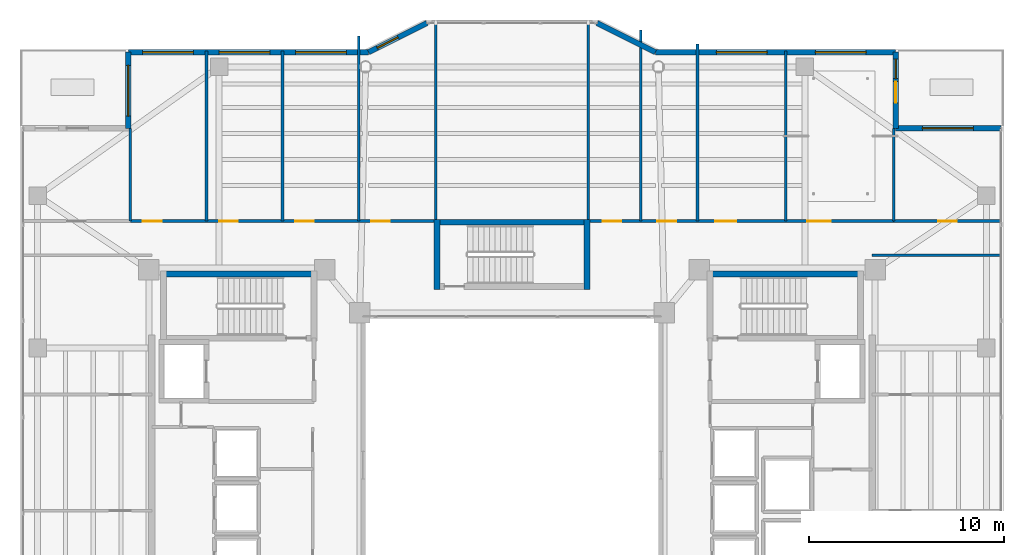
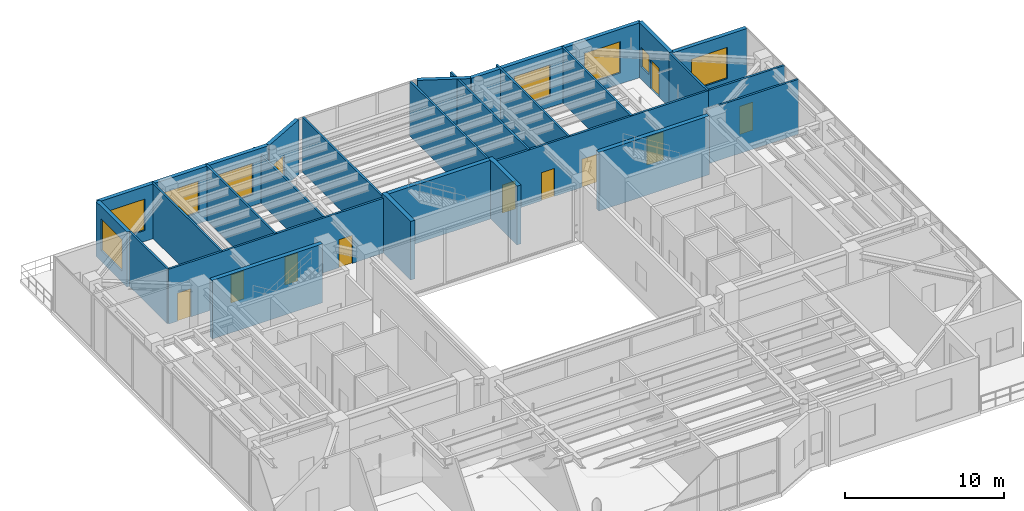
# One storey, part 26 of 33: 26 walls, 10 doors, 9 windows, 19 openings.
"""IFC4 building model written with IfcOpenShell, lengths in metres."""

from ifc_helpers import new_model, si_unit, direction, frame, frame_2d, origin, place, context, subcontext, project, spatial, rectangle, extrude, material, layer, layer_set, type_object, element, fill, save


model = new_model("IFC4")

# Units and contexts
model_context = context("Model", 3, precision=1e-05, world=origin(), true_north=direction((0.0, 1.0)))
body_context = subcontext(model_context, "Body", "Model", "MODEL_VIEW")
ifc_project = project(units=[si_unit("LENGTHUNIT", "METRE"), si_unit("AREAUNIT", "SQUARE_METRE"), si_unit("VOLUMEUNIT", "CUBIC_METRE"), si_unit("PLANEANGLEUNIT", "RADIAN"), si_unit("MASSUNIT", "GRAM", prefix="KILO")], contexts=[model_context])

# Site, building, storey
site_placement = place(None, origin())
site = spatial("IfcSite", under=ifc_project, at=site_placement, CompositionType="ELEMENT")
building_placement = place(site_placement, origin())
building = spatial("IfcBuilding", under=site, at=building_placement, Name="Tarnavaz Court Tower", CompositionType="ELEMENT")
storey_placement = place(building_placement, frame((0.0, 0.0, 177.300048828125)))
storey = spatial("IfcBuildingStorey", under=building, at=storey_placement, Name="L48", CompositionType="ELEMENT", Elevation=177.300048828125)

# Walls
ifc_material_1 = material(Name="Concrete C50/60", Category="concrete")
ifc_layer_1 = layer(ifc_material_1, 0.300048828125)
ifc_layer_set_1 = layer_set([ifc_layer_1], Name="Concrete C50/60")
wall_type_1 = type_object("IfcWallType", Name="WL-CORE-300-C50", PredefinedType="SHEAR", material=ifc_layer_set_1)
for number, where, z_axis, x_axis, name in (
    (1, (-18.0, 9.7900390625, 0.0), (0.0, 0.0, 1.0), (1.0, 0.0, 0.0), "L48 West Stair Core Wall 001"),
    (2, (10.0, 9.7900390625, 0.0), (0.0, 0.0, 1.0), (1.0, 0.0, 0.0), "L48 East Stair Core Wall 005"),
    (3, (-4.0, 12.43994140625, 0.0), (0.0, 0.0, 1.0), (1.0, 0.0, 0.0), "L48 North Stair Core Wall 009"),
):
    element("IfcWall", number, at=place(storey_placement, frame(where, z_axis=z_axis, x_axis=x_axis)), inside=storey, type_object=wall_type_1, Name=name, PredefinedType="SHEAR", context=body_context, shape_type="SweptSolid", body=[
        extrude(rectangle(XDim=8.0, YDim=0.300048828125, at=frame_2d((4.0, 0.0))), origin(), (0.0, 0.0, 1.0), 4.5),
    ])
for number, where, z_axis, x_axis, name in (
    (4, (-3.85009765625, 9.0, 0.0), (0.0, 0.0, 1.0), (0.0, 1.0, 0.0), "L48 North Stair Core Wall 011"),
    (5, (3.85009765625, 9.0, 0.0), (0.0, 0.0, 1.0), (0.0, 1.0, 0.0), "L48 North Stair Core Wall 012"),
):
    element("IfcWall", number, at=place(storey_placement, frame(where, z_axis=z_axis, x_axis=x_axis)), inside=storey, type_object=wall_type_1, Name=name, PredefinedType="SHEAR", context=body_context, shape_type="SweptSolid", body=[
        extrude(rectangle(XDim=3.590087890625, YDim=0.300048828125, at=frame_2d((1.794921875, 0.0))), origin(), (0.0, 0.0, 1.0), 4.5),
    ])

# Wall, opening, window
ifc_material_2 = material(Name="Precast Concrete C40/50", Category="concrete")
ifc_layer_2 = layer(ifc_material_2, 0.280029296875)
ifc_layer_set_2 = layer_set([ifc_layer_2], Name="Precast Concrete C40/50")
wall_type_2 = type_object("IfcWallType", Name="WL-EXT-280", PredefinedType="SOLIDWALL", material=ifc_layer_set_2)
wall_1_placement = place(storey_placement, frame((-19.64990234375, 17.25, 0.0), z_axis=(0.0, 0.0, 1.0), x_axis=(0.0, 1.0, 0.0)))
wall_1 = element("IfcWall", 6, at=wall_1_placement, inside=storey, type_object=wall_type_2, Name="L48 Exterior Terracotta Facade Wall 04", PredefinedType="SOLIDWALL", context=body_context, shape_type="SweptSolid", body=[
    extrude(rectangle(XDim=3.89990234375, YDim=0.280029296875, at=frame_2d((1.949951171875, 0.0))), origin(), (0.0, 0.0, 1.0), 4.199951171875),
])
opening_1_placement = place(wall_1_placement, frame((0.632080078125, 0.0, 0.85009765625)))
opening_1 = element("IfcOpeningElement", 7, at=opening_1_placement, cuts=wall_1, Name="Opening W11", PredefinedType="OPENING", context=body_context, shape_type="SweptSolid", body=[
    extrude(rectangle(XDim=2.60009765625, YDim=2.39990234375, at=frame_2d((1.300048828125, 1.199951171875))), frame((0.0, 0.14990234375, 0.0), z_axis=(0.0, -1.0, 0.0), x_axis=(1.0, 0.0, 0.0)), (0.0, 0.0, 1.0), 0.300048828125),
])
ifc_material_3 = material(Name="Double-Glazed Solar Low-E Glass", Category="glass")
window_type_1 = type_object("IfcWindowType", Name="WN-COM-2600", PartitioningType="TRIPLE_PANEL_VERTICAL", PredefinedType="WINDOW", material=ifc_material_3)
window_1_placement = place(opening_1_placement, origin())
window_1 = element("IfcWindow", 8, at=window_1_placement, inside=storey, type_object=window_type_1, Name="L48 L48 Resident Advisory Office 1 Window", OverallHeight=2.39990234375, OverallWidth=2.60009765625, PartitioningType="SINGLE_PANEL", PredefinedType="WINDOW", context=body_context, shape_type="SweptSolid", body=[
    extrude(rectangle(XDim=2.60009765625, YDim=2.39990234375, at=frame_2d((1.300048828125, 1.199951171875))), frame((0.0, 0.030029296875, 0.0), z_axis=(0.0, -1.0, 0.0), x_axis=(1.0, 0.0, 0.0)), (0.0, 0.0, 1.0), 0.06005859375),
])
fill(opening_1, window_1)

# Wall, openings, windows
wall_2_placement = place(storey_placement, frame((-19.64990234375, 21.14990234375, 0.0), z_axis=(0.0, 0.0, 1.0), x_axis=(1.0, 0.0, 0.0)))
wall_2 = element("IfcWall", 9, at=wall_2_placement, inside=storey, type_object=wall_type_2, Name="L48 Exterior Terracotta Facade Wall 05", PredefinedType="SOLIDWALL", context=body_context, shape_type="SweptSolid", body=[
    extrude(rectangle(XDim=12.2998046875, YDim=0.280029296875, at=frame_2d((6.14990234375, 0.0))), origin(), (0.0, 0.0, 1.0), 4.199951171875),
])
opening_2_placement = place(wall_2_placement, frame((0.7333984375, 0.0, 0.85009765625)))
opening_2 = element("IfcOpeningElement", 10, at=opening_2_placement, cuts=wall_2, Name="Opening W11", PredefinedType="OPENING", context=body_context, shape_type="SweptSolid", body=[
    extrude(rectangle(XDim=2.60009765625, YDim=2.39990234375, at=frame_2d((1.300048828125, 1.199951171875))), frame((0.0, 0.14990234375, 0.0), z_axis=(0.0, -1.0, 0.0), x_axis=(1.0, 0.0, 0.0)), (0.0, 0.0, 1.0), 0.300048828125),
])
opening_3_placement = place(wall_2_placement, frame((4.649169921875, 0.0, 0.85009765625)))
opening_3 = element("IfcOpeningElement", 11, at=opening_3_placement, cuts=wall_2, Name="Opening W11", PredefinedType="OPENING", context=body_context, shape_type="SweptSolid", body=[
    extrude(rectangle(XDim=2.60009765625, YDim=2.39990234375, at=frame_2d((1.300048828125, 1.199951171875))), frame((0.0, 0.14990234375, 0.0), z_axis=(0.0, -1.0, 0.0), x_axis=(1.0, 0.0, 0.0)), (0.0, 0.0, 1.0), 0.300048828125),
])
opening_4_placement = place(wall_2_placement, frame((8.565185546875, 0.0, 0.85009765625)))
opening_4 = element("IfcOpeningElement", 12, at=opening_4_placement, cuts=wall_2, Name="Opening W11", PredefinedType="OPENING", context=body_context, shape_type="SweptSolid", body=[
    extrude(rectangle(XDim=2.60009765625, YDim=2.39990234375, at=frame_2d((1.300048828125, 1.199951171875))), frame((0.0, 0.14990234375, 0.0), z_axis=(0.0, -1.0, 0.0), x_axis=(1.0, 0.0, 0.0)), (0.0, 0.0, 1.0), 0.300048828125),
])
window_2_placement = place(opening_2_placement, origin())
window_2 = element("IfcWindow", 13, at=window_2_placement, inside=storey, type_object=window_type_1, Name="L48 L48 Resident Advisory Office 1 Window", OverallHeight=2.39990234375, OverallWidth=2.60009765625, PartitioningType="SINGLE_PANEL", PredefinedType="WINDOW", context=body_context, shape_type="SweptSolid", body=[
    extrude(rectangle(XDim=2.60009765625, YDim=2.39990234375, at=frame_2d((1.300048828125, 1.199951171875))), frame((0.0, 0.030029296875, 0.0), z_axis=(0.0, -1.0, 0.0), x_axis=(1.0, 0.0, 0.0)), (0.0, 0.0, 1.0), 0.06005859375),
])
fill(opening_2, window_2)
window_3_placement = place(opening_3_placement, origin())
window_3 = element("IfcWindow", 14, at=window_3_placement, inside=storey, type_object=window_type_1, Name="L48 L48 Resident Advisory Office 2 Window", OverallHeight=2.39990234375, OverallWidth=2.60009765625, PartitioningType="SINGLE_PANEL", PredefinedType="WINDOW", context=body_context, shape_type="SweptSolid", body=[
    extrude(rectangle(XDim=2.60009765625, YDim=2.39990234375, at=frame_2d((1.300048828125, 1.199951171875))), frame((0.0, 0.030029296875, 0.0), z_axis=(0.0, -1.0, 0.0), x_axis=(1.0, 0.0, 0.0)), (0.0, 0.0, 1.0), 0.06005859375),
])
fill(opening_3, window_3)
window_4_placement = place(opening_4_placement, origin())
window_4 = element("IfcWindow", 15, at=window_4_placement, inside=storey, type_object=window_type_1, Name="L48 L48 Resident Advisory Office 3 Window", OverallHeight=2.39990234375, OverallWidth=2.60009765625, PartitioningType="SINGLE_PANEL", PredefinedType="WINDOW", context=body_context, shape_type="SweptSolid", body=[
    extrude(rectangle(XDim=2.60009765625, YDim=2.39990234375, at=frame_2d((1.300048828125, 1.199951171875))), frame((0.0, 0.030029296875, 0.0), z_axis=(0.0, -1.0, 0.0), x_axis=(1.0, 0.0, 0.0)), (0.0, 0.0, 1.0), 0.06005859375),
])
fill(opening_4, window_4)

# Wall, opening, window
wall_3_placement = place(storey_placement, frame((-7.35009765625, 21.14990234375, 0.0), z_axis=(0.0, 0.0, 1.0), x_axis=(0.894427191, 0.4472135955, 0.0)))
wall_3 = element("IfcWall", 16, at=wall_3_placement, inside=storey, type_object=wall_type_2, Name="L48 Exterior Terracotta Facade Wall 06", PredefinedType="SOLIDWALL", context=body_context, shape_type="SweptSolid", body=[
    extrude(rectangle(XDim=3.35400390625, YDim=0.280029296875, at=frame_2d((1.677001953125, 0.0))), origin(), (0.0, 0.0, 1.0), 4.199951171875),
])
opening_5_placement = place(wall_3_placement, frame((0.501220703125, 0.0, 0.949951171875)))
opening_5 = element("IfcOpeningElement", 17, at=opening_5_placement, cuts=wall_3, Name="Opening W05", PredefinedType="OPENING", context=body_context, shape_type="SweptSolid", body=[
    extrude(rectangle(XDim=1.199951171875, YDim=1.5, at=frame_2d((0.60009765625, 0.75))), frame((0.0, 0.14990234375, 0.0), z_axis=(0.0, -1.0, 0.0), x_axis=(1.0, 0.0, 0.0)), (0.0, 0.0, 1.0), 0.300048828125),
])
window_type_2 = type_object("IfcWindowType", Name="WN-APT-1200", PartitioningType="SINGLE_PANEL", PredefinedType="WINDOW", material=ifc_material_3)
window_5_placement = place(opening_5_placement, origin())
window_5 = element("IfcWindow", 18, at=window_5_placement, inside=storey, type_object=window_type_2, Name="L48 L48 Resident Advisory Office 4 Window", OverallHeight=1.5, OverallWidth=1.199951171875, PartitioningType="SINGLE_PANEL", PredefinedType="WINDOW", context=body_context, shape_type="SweptSolid", body=[
    extrude(rectangle(XDim=1.199951171875, YDim=1.5, at=frame_2d((0.60009765625, 0.75))), frame((0.0, 0.030029296875, 0.0), z_axis=(0.0, -1.0, 0.0), x_axis=(1.0, 0.0, 0.0)), (0.0, 0.0, 1.0), 0.06005859375),
])
fill(opening_5, window_5)

# Wall
wall_4_placement = place(storey_placement, frame((4.35009765625, 22.64990234375, 0.0), z_axis=(0.0, 0.0, 1.0), x_axis=(0.894427191, -0.4472135955, 0.0)))
element("IfcWall", 19, at=wall_4_placement, inside=storey, type_object=wall_type_2, Name="L48 Exterior Terracotta Facade Wall 08", PredefinedType="SOLIDWALL", context=body_context, shape_type="SweptSolid", body=[
    extrude(rectangle(XDim=3.35400390625, YDim=0.280029296875, at=frame_2d((1.677001953125, 0.0))), origin(), (0.0, 0.0, 1.0), 4.199951171875),
])

# Wall, openings, windows
wall_5_placement = place(storey_placement, frame((7.35009765625, 21.14990234375, 0.0), z_axis=(0.0, 0.0, 1.0), x_axis=(1.0, 0.0, 0.0)))
wall_5 = element("IfcWall", 20, at=wall_5_placement, inside=storey, type_object=wall_type_2, Name="L48 Exterior Terracotta Facade Wall 09", PredefinedType="SOLIDWALL", context=body_context, shape_type="SweptSolid", body=[
    extrude(rectangle(XDim=12.2998046875, YDim=0.280029296875, at=frame_2d((6.14990234375, 0.0))), origin(), (0.0, 0.0, 1.0), 4.199951171875),
])
opening_6_placement = place(wall_5_placement, frame((3.117919921875, 0.0, 0.85009765625)))
opening_6 = element("IfcOpeningElement", 21, at=opening_6_placement, cuts=wall_5, Name="Opening W11", PredefinedType="OPENING", context=body_context, shape_type="SweptSolid", body=[
    extrude(rectangle(XDim=2.60009765625, YDim=2.39990234375, at=frame_2d((1.300048828125, 1.199951171875))), frame((0.0, 0.14990234375, 0.0), z_axis=(0.0, -1.0, 0.0), x_axis=(1.0, 0.0, 0.0)), (0.0, 0.0, 1.0), 0.300048828125),
])
opening_7_placement = place(wall_5_placement, frame((8.188720703125, 0.0, 0.85009765625)))
opening_7 = element("IfcOpeningElement", 22, at=opening_7_placement, cuts=wall_5, Name="Opening W11", PredefinedType="OPENING", context=body_context, shape_type="SweptSolid", body=[
    extrude(rectangle(XDim=2.60009765625, YDim=2.39990234375, at=frame_2d((1.300048828125, 1.199951171875))), frame((0.0, 0.14990234375, 0.0), z_axis=(0.0, -1.0, 0.0), x_axis=(1.0, 0.0, 0.0)), (0.0, 0.0, 1.0), 0.300048828125),
])
window_6_placement = place(opening_6_placement, origin())
window_6 = element("IfcWindow", 23, at=window_6_placement, inside=storey, type_object=window_type_1, Name="L48 Community Seminar Meeting Room Window", OverallHeight=2.39990234375, OverallWidth=2.60009765625, PartitioningType="SINGLE_PANEL", PredefinedType="WINDOW", context=body_context, shape_type="SweptSolid", body=[
    extrude(rectangle(XDim=2.60009765625, YDim=2.39990234375, at=frame_2d((1.300048828125, 1.199951171875))), frame((0.0, 0.030029296875, 0.0), z_axis=(0.0, -1.0, 0.0), x_axis=(1.0, 0.0, 0.0)), (0.0, 0.0, 1.0), 0.06005859375),
])
fill(opening_6, window_6)
window_7_placement = place(opening_7_placement, origin())
window_7 = element("IfcWindow", 24, at=window_7_placement, inside=storey, type_object=window_type_1, Name="L48 Community Multipurpose Banquet Hall Window", OverallHeight=2.39990234375, OverallWidth=2.60009765625, PartitioningType="SINGLE_PANEL", PredefinedType="WINDOW", context=body_context, shape_type="SweptSolid", body=[
    extrude(rectangle(XDim=2.60009765625, YDim=2.39990234375, at=frame_2d((1.300048828125, 1.199951171875))), frame((0.0, 0.030029296875, 0.0), z_axis=(0.0, -1.0, 0.0), x_axis=(1.0, 0.0, 0.0)), (0.0, 0.0, 1.0), 0.06005859375),
])
fill(opening_7, window_7)

# Wall, openings, door, window
wall_6_placement = place(storey_placement, frame((19.64990234375, 21.14990234375, 0.0), z_axis=(0.0, 0.0, 1.0), x_axis=(0.0, -1.0, 0.0)))
wall_6 = element("IfcWall", 25, at=wall_6_placement, inside=storey, type_object=wall_type_2, Name="L48 Exterior Terracotta Facade Wall 10", PredefinedType="SOLIDWALL", context=body_context, shape_type="SweptSolid", body=[
    extrude(rectangle(XDim=3.89990234375, YDim=0.280029296875, at=frame_2d((1.949951171875, 0.0))), origin(), (0.0, 0.0, 1.0), 4.199951171875),
])
opening_8_placement = place(wall_6_placement, frame((1.5, 0.0, 0.0)))
opening_8 = element("IfcOpeningElement", 26, at=opening_8_placement, cuts=wall_6, Name="Opening TD1", PredefinedType="OPENING", context=body_context, shape_type="SweptSolid", body=[
    extrude(rectangle(XDim=1.10009765625, YDim=2.199951171875, at=frame_2d((0.550048828125, 1.10009765625))), frame((0.0, 0.14990234375, 0.0), z_axis=(0.0, -1.0, 0.0), x_axis=(1.0, 0.0, 0.0)), (0.0, 0.0, 1.0), 0.300048828125),
])
opening_9_placement = place(wall_6_placement, frame((0.355224609375, 0.0, 0.949951171875)))
opening_9 = element("IfcOpeningElement", 27, at=opening_9_placement, cuts=wall_6, Name="Opening W14", PredefinedType="OPENING", context=body_context, shape_type="SweptSolid", body=[
    extrude(rectangle(XDim=1.0, YDim=1.5, at=frame_2d((0.5, 0.75))), frame((0.0, 0.14990234375, 0.0), z_axis=(0.0, -1.0, 0.0), x_axis=(1.0, 0.0, 0.0)), (0.0, 0.0, 1.0), 0.300048828125),
])
ifc_material_4 = material(Name="Thermally Broken Aluminium and Laminated Glass", Category="aluminium")
door_type_1 = type_object("IfcDoorType", Name="DR-TERR-1100", OperationType="NOTDEFINED", PredefinedType="DOOR", material=ifc_material_4)
door_1_placement = place(opening_8_placement, origin())
door_1 = element("IfcDoor", 28, at=door_1_placement, inside=storey, type_object=door_type_1, Name="L48 Sky Terrace Access Door 1", OperationType="SINGLE_SWING_LEFT", OverallHeight=2.199951171875, OverallWidth=1.10009765625, PredefinedType="DOOR", context=body_context, shape_type="SweptSolid", body=[
    extrude(rectangle(XDim=1.10009765625, YDim=2.199951171875, at=frame_2d((0.550048828125, 1.10009765625))), frame((0.0, 0.02490234375, 0.0), z_axis=(0.0, -1.0, 0.0), x_axis=(1.0, 0.0, 0.0)), (0.0, 0.0, 1.0), 0.050048828125),
])
fill(opening_8, door_1)
window_type_3 = type_object("IfcWindowType", Name="WN-APT-1000", PartitioningType="SINGLE_PANEL", PredefinedType="WINDOW", material=ifc_material_3)
window_8_placement = place(opening_9_placement, origin())
window_8 = element("IfcWindow", 29, at=window_8_placement, inside=storey, type_object=window_type_3, Name="L48 Community Multipurpose Banquet Hall Window", OverallHeight=1.5, OverallWidth=1.0, PartitioningType="SINGLE_PANEL", PredefinedType="WINDOW", context=body_context, shape_type="SweptSolid", body=[
    extrude(rectangle(XDim=1.0, YDim=1.5, at=frame_2d((0.5, 0.75))), frame((0.0, 0.030029296875, 0.0), z_axis=(0.0, -1.0, 0.0), x_axis=(1.0, 0.0, 0.0)), (0.0, 0.0, 1.0), 0.06005859375),
])
fill(opening_9, window_8)

# Wall, opening, window
wall_7_placement = place(storey_placement, frame((19.64990234375, 17.25, 0.0), z_axis=(0.0, 0.0, 1.0), x_axis=(1.0, 0.0, 0.0)))
wall_7 = element("IfcWall", 30, at=wall_7_placement, inside=storey, type_object=wall_type_2, Name="L48 Exterior Terracotta Facade Wall 11", PredefinedType="SOLIDWALL", context=body_context, shape_type="SweptSolid", body=[
    extrude(rectangle(XDim=5.400146484375, YDim=0.280029296875, at=frame_2d((2.7001953125, 0.0))), origin(), (0.0, 0.0, 1.0), 4.199951171875),
])
opening_10_placement = place(wall_7_placement, frame((1.375, 0.0, 0.85009765625)))
opening_10 = element("IfcOpeningElement", 31, at=opening_10_placement, cuts=wall_7, Name="Opening W11", PredefinedType="OPENING", context=body_context, shape_type="SweptSolid", body=[
    extrude(rectangle(XDim=2.60009765625, YDim=2.39990234375, at=frame_2d((1.300048828125, 1.199951171875))), frame((0.0, 0.14990234375, 0.0), z_axis=(0.0, -1.0, 0.0), x_axis=(1.0, 0.0, 0.0)), (0.0, 0.0, 1.0), 0.300048828125),
])
window_9_placement = place(opening_10_placement, origin())
window_9 = element("IfcWindow", 32, at=window_9_placement, inside=storey, type_object=window_type_1, Name="L48 L48 NE Terrace Salon Window", OverallHeight=2.39990234375, OverallWidth=2.60009765625, PartitioningType="SINGLE_PANEL", PredefinedType="WINDOW", context=body_context, shape_type="SweptSolid", body=[
    extrude(rectangle(XDim=2.60009765625, YDim=2.39990234375, at=frame_2d((1.300048828125, 1.199951171875))), frame((0.0, 0.030029296875, 0.0), z_axis=(0.0, -1.0, 0.0), x_axis=(1.0, 0.0, 0.0)), (0.0, 0.0, 1.0), 0.06005859375),
])
fill(opening_10, window_9)

# Wall, openings, doors
ifc_material_5 = material(Name="Gypsum Fire-Board on Acoustic Metal Stud", Category="masonry")
ifc_layer_3 = layer(ifc_material_5, 0.14990234375)
ifc_layer_set_3 = layer_set([ifc_layer_3], Name="Gypsum Fire-Board on Acoustic Metal Stud")
wall_type_3 = type_object("IfcWallType", Name="WL-FIRE-150", PredefinedType="PARTITIONING", material=ifc_layer_set_3)
wall_8_placement = place(storey_placement, frame((-19.550048828125, 12.5, 0.0), z_axis=(0.0, 0.0, 1.0), x_axis=(1.0, 0.0, 0.0)))
wall_8 = element("IfcWall", 33, at=wall_8_placement, inside=storey, type_object=wall_type_3, Name="L48 NW Wing Corridor Wall 069", PredefinedType="PARTITIONING", context=body_context, shape_type="SweptSolid", body=[
    extrude(rectangle(XDim=15.699951171875, YDim=0.14990234375, at=frame_2d((7.85009765625, 0.0))), origin(), (0.0, 0.0, 1.0), 4.199951171875),
])
opening_11_placement = place(wall_8_placement, frame((0.64990234375, 0.0, 0.0)))
opening_11 = element("IfcOpeningElement", 34, at=opening_11_placement, cuts=wall_8, Name="Opening D13", PredefinedType="OPENING", context=body_context, shape_type="SweptSolid", body=[
    extrude(rectangle(XDim=0.949951171875, YDim=2.14990234375, at=frame_2d((0.47509765625, 1.074951171875))), frame((0.0, 0.0849609375, 0.0), z_axis=(0.0, -1.0, 0.0), x_axis=(1.0, 0.0, 0.0)), (0.0, 0.0, 1.0), 0.169921875),
])
opening_12_placement = place(wall_8_placement, frame((4.550048828125, 0.0, 0.0)))
opening_12 = element("IfcOpeningElement", 35, at=opening_12_placement, cuts=wall_8, Name="Opening D13", PredefinedType="OPENING", context=body_context, shape_type="SweptSolid", body=[
    extrude(rectangle(XDim=0.949951171875, YDim=2.14990234375, at=frame_2d((0.47509765625, 1.074951171875))), frame((0.0, 0.0849609375, 0.0), z_axis=(0.0, -1.0, 0.0), x_axis=(1.0, 0.0, 0.0)), (0.0, 0.0, 1.0), 0.169921875),
])
opening_13_placement = place(wall_8_placement, frame((8.449951171875, 0.0, 0.0)))
opening_13 = element("IfcOpeningElement", 36, at=opening_13_placement, cuts=wall_8, Name="Opening D13", PredefinedType="OPENING", context=body_context, shape_type="SweptSolid", body=[
    extrude(rectangle(XDim=0.949951171875, YDim=2.14990234375, at=frame_2d((0.47509765625, 1.074951171875))), frame((0.0, 0.0849609375, 0.0), z_axis=(0.0, -1.0, 0.0), x_axis=(1.0, 0.0, 0.0)), (0.0, 0.0, 1.0), 0.169921875),
])
opening_14_placement = place(wall_8_placement, frame((12.35009765625, 0.0, 0.0)))
opening_14 = element("IfcOpeningElement", 37, at=opening_14_placement, cuts=wall_8, Name="Opening D13", PredefinedType="OPENING", context=body_context, shape_type="SweptSolid", body=[
    extrude(rectangle(XDim=0.949951171875, YDim=2.14990234375, at=frame_2d((0.47509765625, 1.074951171875))), frame((0.0, 0.0849609375, 0.0), z_axis=(0.0, -1.0, 0.0), x_axis=(1.0, 0.0, 0.0)), (0.0, 0.0, 1.0), 0.169921875),
])
ifc_material_6 = material(Name="Engineered Oak Timber", Category="wood")
door_type_2 = type_object("IfcDoorType", Name="DR-INT-950", OperationType="NOTDEFINED", PredefinedType="DOOR", material=ifc_material_6)
door_2_placement = place(opening_11_placement, origin())
door_2 = element("IfcDoor", 38, at=door_2_placement, inside=storey, type_object=door_type_2, Name="L48 Advisory Office 1 Door", OperationType="SINGLE_SWING_RIGHT", OverallHeight=2.14990234375, OverallWidth=0.949951171875, PredefinedType="DOOR", context=body_context, shape_type="SweptSolid", body=[
    extrude(rectangle(XDim=0.949951171875, YDim=2.14990234375, at=frame_2d((0.47509765625, 1.074951171875))), frame((0.0, 0.02490234375, 0.0), z_axis=(0.0, -1.0, 0.0), x_axis=(1.0, 0.0, 0.0)), (0.0, 0.0, 1.0), 0.050048828125),
])
fill(opening_11, door_2)
door_3_placement = place(opening_12_placement, origin())
door_3 = element("IfcDoor", 39, at=door_3_placement, inside=storey, type_object=door_type_2, Name="L48 Advisory Office 2 Door", OperationType="SINGLE_SWING_LEFT", OverallHeight=2.14990234375, OverallWidth=0.949951171875, PredefinedType="DOOR", context=body_context, shape_type="SweptSolid", body=[
    extrude(rectangle(XDim=0.949951171875, YDim=2.14990234375, at=frame_2d((0.47509765625, 1.074951171875))), frame((0.0, 0.02490234375, 0.0), z_axis=(0.0, -1.0, 0.0), x_axis=(1.0, 0.0, 0.0)), (0.0, 0.0, 1.0), 0.050048828125),
])
fill(opening_12, door_3)
door_4_placement = place(opening_13_placement, origin())
door_4 = element("IfcDoor", 40, at=door_4_placement, inside=storey, type_object=door_type_2, Name="L48 Advisory Office 3 Door", OperationType="SINGLE_SWING_RIGHT", OverallHeight=2.14990234375, OverallWidth=0.949951171875, PredefinedType="DOOR", context=body_context, shape_type="SweptSolid", body=[
    extrude(rectangle(XDim=0.949951171875, YDim=2.14990234375, at=frame_2d((0.47509765625, 1.074951171875))), frame((0.0, 0.02490234375, 0.0), z_axis=(0.0, -1.0, 0.0), x_axis=(1.0, 0.0, 0.0)), (0.0, 0.0, 1.0), 0.050048828125),
])
fill(opening_13, door_4)
door_5_placement = place(opening_14_placement, origin())
door_5 = element("IfcDoor", 41, at=door_5_placement, inside=storey, type_object=door_type_2, Name="L48 Advisory Office 4 Door", OperationType="SINGLE_SWING_LEFT", OverallHeight=2.14990234375, OverallWidth=0.949951171875, PredefinedType="DOOR", context=body_context, shape_type="SweptSolid", body=[
    extrude(rectangle(XDim=0.949951171875, YDim=2.14990234375, at=frame_2d((0.47509765625, 1.074951171875))), frame((0.0, 0.02490234375, 0.0), z_axis=(0.0, -1.0, 0.0), x_axis=(1.0, 0.0, 0.0)), (0.0, 0.0, 1.0), 0.050048828125),
])
fill(opening_14, door_5)

wall_9_placement = place(storey_placement, frame((3.85009765625, 12.5, 0.0), z_axis=(0.0, 0.0, 1.0), x_axis=(1.0, 0.0, 0.0)))
wall_9 = element("IfcWall", 42, at=wall_9_placement, inside=storey, type_object=wall_type_3, Name="L48 NE Wing Corridor Wall 070", PredefinedType="PARTITIONING", context=body_context, shape_type="SweptSolid", body=[
    extrude(rectangle(XDim=15.699951171875, YDim=0.14990234375, at=frame_2d((7.85009765625, 0.0))), origin(), (0.0, 0.0, 1.0), 4.199951171875),
])
opening_15_placement = place(wall_9_placement, frame((0.800048828125, 0.0, 0.0)))
opening_15 = element("IfcOpeningElement", 43, at=opening_15_placement, cuts=wall_9, Name="Opening D13", PredefinedType="OPENING", context=body_context, shape_type="SweptSolid", body=[
    extrude(rectangle(XDim=0.949951171875, YDim=2.14990234375, at=frame_2d((0.47509765625, 1.074951171875))), frame((0.0, 0.0849609375, 0.0), z_axis=(0.0, -1.0, 0.0), x_axis=(1.0, 0.0, 0.0)), (0.0, 0.0, 1.0), 0.169921875),
])
opening_16_placement = place(wall_9_placement, frame((3.60009765625, 0.0, 0.0)))
opening_16 = element("IfcOpeningElement", 44, at=opening_16_placement, cuts=wall_9, Name="Opening D13", PredefinedType="OPENING", context=body_context, shape_type="SweptSolid", body=[
    extrude(rectangle(XDim=0.949951171875, YDim=2.14990234375, at=frame_2d((0.47509765625, 1.074951171875))), frame((0.0, 0.0849609375, 0.0), z_axis=(0.0, -1.0, 0.0), x_axis=(1.0, 0.0, 0.0)), (0.0, 0.0, 1.0), 0.169921875),
])
opening_17_placement = place(wall_9_placement, frame((6.550048828125, 0.0, 0.0)))
opening_17 = element("IfcOpeningElement", 45, at=opening_17_placement, cuts=wall_9, Name="Opening D12", PredefinedType="OPENING", context=body_context, shape_type="SweptSolid", body=[
    extrude(rectangle(XDim=1.080078125, YDim=2.14990234375, at=frame_2d((0.5400390625, 1.074951171875))), frame((0.0, 0.0849609375, 0.0), z_axis=(0.0, -1.0, 0.0), x_axis=(1.0, 0.0, 0.0)), (0.0, 0.0, 1.0), 0.169921875),
])
opening_18_placement = place(wall_9_placement, frame((11.27294921875, 0.0, 0.0)))
opening_18 = element("IfcOpeningElement", 46, at=opening_18_placement, cuts=wall_9, Name="Opening D11", PredefinedType="OPENING", context=body_context, shape_type="SweptSolid", body=[
    extrude(rectangle(XDim=1.199951171875, YDim=2.14990234375, at=frame_2d((0.60009765625, 1.074951171875))), frame((0.0, 0.0849609375, 0.0), z_axis=(0.0, -1.0, 0.0), x_axis=(1.0, 0.0, 0.0)), (0.0, 0.0, 1.0), 0.169921875),
])
door_type_3 = type_object("IfcDoorType", Name="DR-INT-1100", OperationType="NOTDEFINED", PredefinedType="DOOR", material=ifc_material_6)
door_6_placement = place(opening_17_placement, origin())
door_6 = element("IfcDoor", 47, at=door_6_placement, inside=storey, type_object=door_type_3, Name="L48 Community Meeting Room Door", OperationType="SINGLE_SWING_RIGHT", OverallHeight=2.14990234375, OverallWidth=1.080078125, PredefinedType="DOOR", context=body_context, shape_type="SweptSolid", body=[
    extrude(rectangle(XDim=1.080078125, YDim=2.14990234375, at=frame_2d((0.5400390625, 1.074951171875))), frame((0.0, 0.02490234375, 0.0), z_axis=(0.0, -1.0, 0.0), x_axis=(1.0, 0.0, 0.0)), (0.0, 0.0, 1.0), 0.050048828125),
])
fill(opening_17, door_6)
door_type_4 = type_object("IfcDoorType", Name="DR-INT-1200", OperationType="NOTDEFINED", PredefinedType="DOOR", material=ifc_material_6)
door_7_placement = place(opening_18_placement, origin())
door_7 = element("IfcDoor", 48, at=door_7_placement, inside=storey, type_object=door_type_4, Name="L48 Community Multipurpose Banquet Hall Door", OperationType="SINGLE_SWING_LEFT", OverallHeight=2.14990234375, OverallWidth=1.199951171875, PredefinedType="DOOR", context=body_context, shape_type="SweptSolid", body=[
    extrude(rectangle(XDim=1.199951171875, YDim=2.14990234375, at=frame_2d((0.60009765625, 1.074951171875))), frame((0.0, 0.02490234375, 0.0), z_axis=(0.0, -1.0, 0.0), x_axis=(1.0, 0.0, 0.0)), (0.0, 0.0, 1.0), 0.050048828125),
])
fill(opening_18, door_7)
door_8_placement = place(opening_15_placement, origin())
door_8 = element("IfcDoor", 49, at=door_8_placement, inside=storey, type_object=door_type_2, Name="L48 Accessible WC Door", OperationType="SINGLE_SWING_RIGHT", OverallHeight=2.14990234375, OverallWidth=0.949951171875, PredefinedType="DOOR", context=body_context, shape_type="SweptSolid", body=[
    extrude(rectangle(XDim=0.949951171875, YDim=2.14990234375, at=frame_2d((0.47509765625, 1.074951171875))), frame((0.0, 0.02490234375, 0.0), z_axis=(0.0, -1.0, 0.0), x_axis=(1.0, 0.0, 0.0)), (0.0, 0.0, 1.0), 0.050048828125),
])
fill(opening_15, door_8)
door_9_placement = place(opening_16_placement, origin())
door_9 = element("IfcDoor", 50, at=door_9_placement, inside=storey, type_object=door_type_2, Name="L48 Public Toilets Door", OperationType="SINGLE_SWING_LEFT", OverallHeight=2.14990234375, OverallWidth=0.949951171875, PredefinedType="DOOR", context=body_context, shape_type="SweptSolid", body=[
    extrude(rectangle(XDim=0.949951171875, YDim=2.14990234375, at=frame_2d((0.47509765625, 1.074951171875))), frame((0.0, 0.02490234375, 0.0), z_axis=(0.0, -1.0, 0.0), x_axis=(1.0, 0.0, 0.0)), (0.0, 0.0, 1.0), 0.050048828125),
])
fill(opening_16, door_9)

# Wall
wall_10_placement = place(storey_placement, frame((18.449951171875, 10.75, 0.0), z_axis=(0.0, 0.0, 1.0), x_axis=(1.0, 0.0, 0.0)))
element("IfcWall", 51, at=wall_10_placement, inside=storey, type_object=wall_type_3, Name="L48 Interior Partition 090", PredefinedType="PARTITIONING", context=body_context, shape_type="SweptSolid", body=[
    extrude(rectangle(XDim=6.630126953125, YDim=0.14990234375, at=frame_2d((3.31494140625, 0.0))), origin(), (0.0, 0.0, 1.0), 4.199951171875),
])

# Wall, opening, door
wall_11_placement = place(storey_placement, frame((19.550048828125, 12.5, 0.0), z_axis=(0.0, 0.0, 1.0), x_axis=(1.0, 0.0, 0.0)))
wall_11 = element("IfcWall", 52, at=wall_11_placement, inside=storey, type_object=wall_type_3, Name="L48 Interior Partition 096", PredefinedType="PARTITIONING", context=body_context, shape_type="SweptSolid", body=[
    extrude(rectangle(XDim=5.530029296875, YDim=0.14990234375, at=frame_2d((2.76513671875, 0.0))), origin(), (0.0, 0.0, 1.0), 4.199951171875),
])
opening_19_placement = place(wall_11_placement, frame((2.2900390625, 0.0, 0.0)))
opening_19 = element("IfcOpeningElement", 53, at=opening_19_placement, cuts=wall_11, Name="Opening D13", PredefinedType="OPENING", context=body_context, shape_type="SweptSolid", body=[
    extrude(rectangle(XDim=0.949951171875, YDim=2.14990234375, at=frame_2d((0.47509765625, 1.074951171875))), frame((0.0, 0.0849609375, 0.0), z_axis=(0.0, -1.0, 0.0), x_axis=(1.0, 0.0, 0.0)), (0.0, 0.0, 1.0), 0.169921875),
])
door_10_placement = place(opening_19_placement, origin())
door_10 = element("IfcDoor", 54, at=door_10_placement, inside=storey, type_object=door_type_2, Name="L48 NE Terrace Salon Door", OperationType="SINGLE_SWING_LEFT", OverallHeight=2.14990234375, OverallWidth=0.949951171875, PredefinedType="DOOR", context=body_context, shape_type="SweptSolid", body=[
    extrude(rectangle(XDim=0.949951171875, YDim=2.14990234375, at=frame_2d((0.47509765625, 1.074951171875))), frame((0.0, 0.02490234375, 0.0), z_axis=(0.0, -1.0, 0.0), x_axis=(1.0, 0.0, 0.0)), (0.0, 0.0, 1.0), 0.050048828125),
])
fill(opening_19, door_10)

# Walls
ifc_material_7 = material(Name="Gypsum Plasterboard Acoustic Partition", Category="masonry")
ifc_layer_4 = layer(ifc_material_7, 0.139892578125)
ifc_layer_set_4 = layer_set([ifc_layer_4], Name="Gypsum Plasterboard Acoustic Partition")
wall_type_4 = type_object("IfcWallType", Name="WL-PART-150", PredefinedType="PARTITIONING", material=ifc_layer_set_4)
for number, where, z_axis, x_axis, name in (
    (55, (-3.89990234375, 12.5, 0.0), (0.0, 0.0, 1.0), (0.0, 1.0, 0.0), "L48 Interior Partition 073"),
    (56, (3.89990234375, 12.5, 0.0), (0.0, 0.0, 1.0), (0.0, 1.0, 0.0), "L48 Interior Partition 074"),
):
    element("IfcWall", number, at=place(storey_placement, frame(where, z_axis=z_axis, x_axis=x_axis)), inside=storey, type_object=wall_type_4, Name=name, PredefinedType="PARTITIONING", context=body_context, shape_type="SweptSolid", body=[
        extrude(rectangle(XDim=10.179931640625, YDim=0.139892578125, at=frame_2d((5.08984375, 0.0))), origin(), (0.0, 0.0, 1.0), 4.199951171875),
    ])
for number, where, z_axis, x_axis, name in (
    (57, (-15.64990234375, 12.5, 0.0), (0.0, 0.0, 1.0), (0.0, 1.0, 0.0), "L48 Interior Partition 075"),
    (58, (-11.75, 12.5, 0.0), (0.0, 0.0, 1.0), (0.0, 1.0, 0.0), "L48 Interior Partition 076"),
):
    element("IfcWall", number, at=place(storey_placement, frame(where, z_axis=z_axis, x_axis=x_axis)), inside=storey, type_object=wall_type_4, Name=name, PredefinedType="PARTITIONING", context=body_context, shape_type="SweptSolid", body=[
        extrude(rectangle(XDim=8.699951171875, YDim=0.139892578125, at=frame_2d((4.35009765625, 0.0))), origin(), (0.0, 0.0, 1.0), 4.199951171875),
    ])
wall_12_placement = place(storey_placement, frame((-7.85009765625, 12.5, 0.0), z_axis=(0.0, 0.0, 1.0), x_axis=(0.0, 1.0, 0.0)))
element("IfcWall", 59, at=wall_12_placement, inside=storey, type_object=wall_type_4, Name="L48 Interior Partition 077", PredefinedType="PARTITIONING", context=body_context, shape_type="SweptSolid", body=[
    extrude(rectangle(XDim=9.47705078125, YDim=0.139892578125, at=frame_2d((4.738525390625, 0.0))), origin(), (0.0, 0.0, 1.0), 3.68505859375),
])
wall_13_placement = place(storey_placement, frame((6.60009765625, 12.5, 0.0), z_axis=(0.0, 0.0, 1.0), x_axis=(0.0, 1.0, 0.0)))
element("IfcWall", 60, at=wall_13_placement, inside=storey, type_object=wall_type_4, Name="L48 Interior Partition 078", PredefinedType="PARTITIONING", context=body_context, shape_type="SweptSolid", body=[
    extrude(rectangle(XDim=9.784912109375, YDim=0.139892578125, at=frame_2d((4.892578125, 0.0))), origin(), (0.0, 0.0, 1.0), 4.199951171875),
])
wall_14_placement = place(storey_placement, frame((9.5, 12.5, 0.0), z_axis=(0.0, 0.0, 1.0), x_axis=(0.0, 1.0, 0.0)))
element("IfcWall", 61, at=wall_14_placement, inside=storey, type_object=wall_type_4, Name="L48 Interior Partition 079", PredefinedType="PARTITIONING", context=body_context, shape_type="SweptSolid", body=[
    extrude(rectangle(XDim=9.070068359375, YDim=0.139892578125, at=frame_2d((4.53515625, 0.0))), origin(), (0.0, 0.0, 1.0), 4.199951171875),
])
wall_15_placement = place(storey_placement, frame((14.02294921875, 12.5, 0.0), z_axis=(0.0, 0.0, 1.0), x_axis=(0.0, 1.0, 0.0)))
element("IfcWall", 62, at=wall_15_placement, inside=storey, type_object=wall_type_4, Name="L48 Interior Partition 080", PredefinedType="PARTITIONING", context=body_context, shape_type="SweptSolid", body=[
    extrude(rectangle(XDim=8.699951171875, YDim=0.139892578125, at=frame_2d((4.35009765625, 0.0))), origin(), (0.0, 0.0, 1.0), 4.199951171875),
])
for number, where, z_axis, x_axis, name in (
    (63, (-19.550048828125, 12.5, 0.0), (0.0, 0.0, 1.0), (0.0, 1.0, 0.0), "L48 Interior Partition 093"),
    (64, (19.550048828125, 12.5, 0.0), (0.0, 0.0, 1.0), (0.0, 1.0, 0.0), "L48 Interior Partition 094"),
):
    element("IfcWall", number, at=place(storey_placement, frame(where, z_axis=z_axis, x_axis=x_axis)), inside=storey, type_object=wall_type_4, Name=name, PredefinedType="PARTITIONING", context=body_context, shape_type="SweptSolid", body=[
        extrude(rectangle(XDim=4.75, YDim=0.139892578125, at=frame_2d((2.375, 0.0))), origin(), (0.0, 0.0, 1.0), 4.199951171875),
    ])

save(model, "model.ifc")
